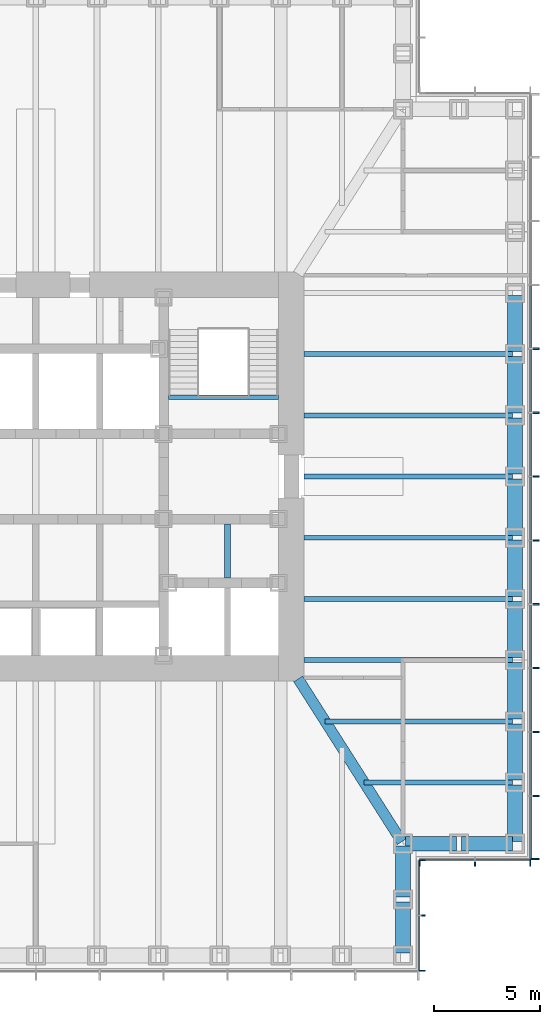
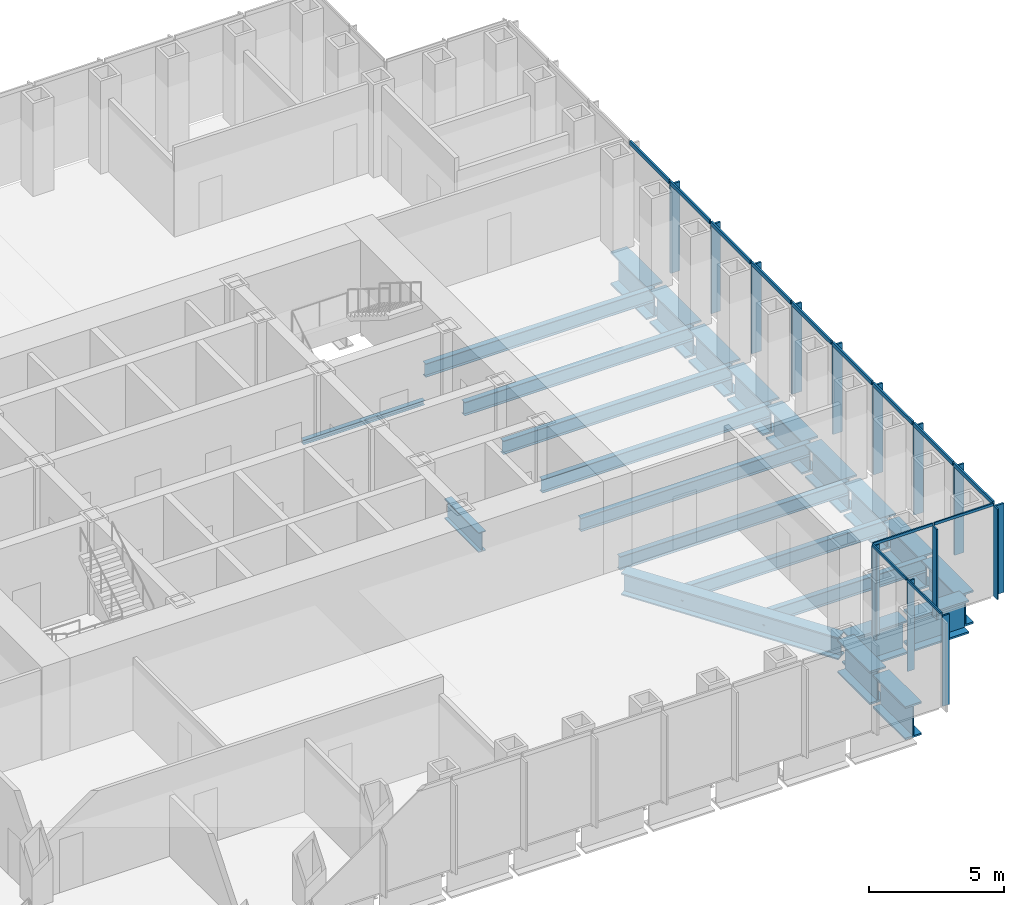
# One storey, part 4 of 16: 28 members, 24 beams, 3 elements without a shape of their own.
"""IFC4 building model written with IfcOpenShell, lengths in metres."""

from ifc_helpers import new_model, si_unit, direction, frame, origin, origin_2d, place, context, subcontext, project, spatial, rectangle, i_section, extrude, material, material_profile, profile_set, type_object, element, aggregate, save


model = new_model("IFC4")

# Units and contexts
model_context = context("Model", 3, precision=1e-05, world=origin(), true_north=direction((0.0, 1.0)))
body_context = subcontext(model_context, "Body", "Model", "MODEL_VIEW")
ifc_project = project(units=[si_unit("LENGTHUNIT", "METRE"), si_unit("AREAUNIT", "SQUARE_METRE"), si_unit("VOLUMEUNIT", "CUBIC_METRE"), si_unit("PLANEANGLEUNIT", "RADIAN"), si_unit("MASSUNIT", "GRAM", prefix="KILO")], contexts=[model_context])

# Site, building, storey
site_placement = place(None, origin())
site = spatial("IfcSite", under=ifc_project, at=site_placement, CompositionType="ELEMENT")
building_placement = place(site_placement, origin())
building = spatial("IfcBuilding", under=site, at=building_placement, Name="Daluyong Arena Tower", CompositionType="ELEMENT")
storey_placement = place(building_placement, frame((0.0, 0.0, 162.699951171875)))
storey = spatial("IfcBuildingStorey", under=building, at=storey_placement, Name="L36", CompositionType="ELEMENT", Elevation=162.699951171875)

# Curtain wall, members
ifc_material_1 = material(Name="Bronze anodised aluminium and glass", Category="aluminium")
curtain_wall_type_1 = type_object("IfcCurtainWallType", Name="Curtain wall CW2", PredefinedType="USERDEFINED", material=ifc_material_1)
curtain_wall_1_placement = place(storey_placement, origin())
curtain_wall_1 = element("IfcCurtainWall", 1, at=curtain_wall_1_placement, inside=storey, type_object=curtain_wall_type_1, Name="curtain wall L36 E", ObjectType="UNITISED CURTAIN WALL", PredefinedType="USERDEFINED")
ifc_material_2 = material(Name="Bronze anodised aluminium fin", Category="aluminium")
ifc_material_profile_1 = material_profile(ifc_material_2, rectangle(XDim=0.39990234375, YDim=0.080078125, at=origin_2d()))
ifc_profile_set_1 = profile_set([ifc_material_profile_1], Name="Bronze anodised aluminium fin")
member_type_1 = type_object("IfcMemberType", Name="CW2 bronze fin 400x80", PredefinedType="MULLION", material=ifc_profile_set_1)
member_1_placement = place(storey_placement, frame((79.449951171875, 62.0400390625, 0.0), z_axis=(0.0, 0.0, 1.0), x_axis=(-1.0, 0.0, 0.0)))
member_1 = element("IfcMember", 2, at=member_1_placement, type_object=member_type_1, Name="curtain wall L36 E fin 1", PredefinedType="MULLION", context=body_context, shape_type="SweptSolid", body=[
    extrude(rectangle(XDim=0.39990234375, YDim=0.080078125, at=origin_2d()), origin(), (0.0, 0.0, 1.0), 4.02001953125),
])
member_2_placement = place(storey_placement, frame((79.449951171875, 65.0, 0.0), z_axis=(0.0, 0.0, 1.0), x_axis=(-1.0, 0.0, 0.0)))
member_2 = element("IfcMember", 3, at=member_2_placement, type_object=member_type_1, Name="curtain wall L36 E fin 2", PredefinedType="MULLION", context=body_context, shape_type="SweptSolid", body=[
    extrude(rectangle(XDim=0.39990234375, YDim=0.080078125, at=origin_2d()), origin(), (0.0, 0.0, 1.0), 4.02001953125),
])
member_3_placement = place(storey_placement, frame((79.449951171875, 68.0, 0.0), z_axis=(0.0, 0.0, 1.0), x_axis=(-1.0, 0.0, 0.0)))
member_3 = element("IfcMember", 4, at=member_3_placement, type_object=member_type_1, Name="curtain wall L36 E fin 3", PredefinedType="MULLION", context=body_context, shape_type="SweptSolid", body=[
    extrude(rectangle(XDim=0.39990234375, YDim=0.080078125, at=origin_2d()), origin(), (0.0, 0.0, 1.0), 4.02001953125),
])
member_4_placement = place(storey_placement, frame((79.449951171875, 71.0, 0.0), z_axis=(0.0, 0.0, 1.0), x_axis=(-1.0, 0.0, 0.0)))
member_4 = element("IfcMember", 5, at=member_4_placement, type_object=member_type_1, Name="curtain wall L36 E fin 4", PredefinedType="MULLION", context=body_context, shape_type="SweptSolid", body=[
    extrude(rectangle(XDim=0.39990234375, YDim=0.080078125, at=origin_2d()), origin(), (0.0, 0.0, 1.0), 4.02001953125),
])
member_5_placement = place(storey_placement, frame((79.449951171875, 74.0, 0.0), z_axis=(0.0, 0.0, 1.0), x_axis=(-1.0, 0.0, 0.0)))
member_5 = element("IfcMember", 6, at=member_5_placement, type_object=member_type_1, Name="curtain wall L36 E fin 5", PredefinedType="MULLION", context=body_context, shape_type="SweptSolid", body=[
    extrude(rectangle(XDim=0.39990234375, YDim=0.080078125, at=origin_2d()), origin(), (0.0, 0.0, 1.0), 4.02001953125),
])
member_6_placement = place(storey_placement, frame((79.449951171875, 77.0, 0.0), z_axis=(0.0, 0.0, 1.0), x_axis=(-1.0, 0.0, 0.0)))
member_6 = element("IfcMember", 7, at=member_6_placement, type_object=member_type_1, Name="curtain wall L36 E fin 6", PredefinedType="MULLION", context=body_context, shape_type="SweptSolid", body=[
    extrude(rectangle(XDim=0.39990234375, YDim=0.080078125, at=origin_2d()), origin(), (0.0, 0.0, 1.0), 4.02001953125),
])
member_7_placement = place(storey_placement, frame((79.449951171875, 80.0, 0.0), z_axis=(0.0, 0.0, 1.0), x_axis=(-1.0, 0.0, 0.0)))
member_7 = element("IfcMember", 8, at=member_7_placement, type_object=member_type_1, Name="curtain wall L36 E fin 7", PredefinedType="MULLION", context=body_context, shape_type="SweptSolid", body=[
    extrude(rectangle(XDim=0.39990234375, YDim=0.080078125, at=origin_2d()), origin(), (0.0, 0.0, 1.0), 4.02001953125),
])
member_8_placement = place(storey_placement, frame((79.449951171875, 83.0, 0.0), z_axis=(0.0, 0.0, 1.0), x_axis=(-1.0, 0.0, 0.0)))
member_8 = element("IfcMember", 9, at=member_8_placement, type_object=member_type_1, Name="curtain wall L36 E fin 8", PredefinedType="MULLION", context=body_context, shape_type="SweptSolid", body=[
    extrude(rectangle(XDim=0.39990234375, YDim=0.080078125, at=origin_2d()), origin(), (0.0, 0.0, 1.0), 4.02001953125),
])
member_9_placement = place(storey_placement, frame((79.449951171875, 86.0, 0.0), z_axis=(0.0, 0.0, 1.0), x_axis=(-1.0, 0.0, 0.0)))
member_9 = element("IfcMember", 10, at=member_9_placement, type_object=member_type_1, Name="curtain wall L36 E fin 9", PredefinedType="MULLION", context=body_context, shape_type="SweptSolid", body=[
    extrude(rectangle(XDim=0.39990234375, YDim=0.080078125, at=origin_2d()), origin(), (0.0, 0.0, 1.0), 4.02001953125),
])
ifc_material_3 = material(Name="Bronze anodised aluminium", Category="aluminium")
ifc_material_profile_2 = material_profile(ifc_material_3, rectangle(XDim=0.080078125, YDim=0.179931640625, at=origin_2d()))
ifc_profile_set_2 = profile_set([ifc_material_profile_2], Name="Bronze anodised aluminium")
member_type_2 = type_object("IfcMemberType", Name="CW2 stack transom 180x80", PredefinedType="USERDEFINED", material=ifc_profile_set_2)
member_10_placement = place(storey_placement, frame((79.25, 62.080078125, 4.110107421875), z_axis=(0.0, 1.0, 0.0), x_axis=(-1.0, 0.0, 0.0)))
member_10 = element("IfcMember", 11, at=member_10_placement, type_object=member_type_2, Name="curtain wall L36 E transom 1", ObjectType="TRANSOM", PredefinedType="USERDEFINED", context=body_context, shape_type="SweptSolid", body=[
    extrude(rectangle(XDim=0.080078125, YDim=0.179931640625, at=origin_2d()), origin(), (0.0, 0.0, 1.0), 2.8798828125),
])
member_11_placement = place(storey_placement, frame((79.25, 65.0400390625, 4.110107421875), z_axis=(0.0, 1.0, 0.0), x_axis=(-1.0, 0.0, 0.0)))
member_11 = element("IfcMember", 12, at=member_11_placement, type_object=member_type_2, Name="curtain wall L36 E transom 2", ObjectType="TRANSOM", PredefinedType="USERDEFINED", context=body_context, shape_type="SweptSolid", body=[
    extrude(rectangle(XDim=0.080078125, YDim=0.179931640625, at=origin_2d()), origin(), (0.0, 0.0, 1.0), 2.919921875),
])
member_12_placement = place(storey_placement, frame((79.25, 68.0400390625, 4.110107421875), z_axis=(0.0, 1.0, 0.0), x_axis=(-1.0, 0.0, 0.0)))
member_12 = element("IfcMember", 13, at=member_12_placement, type_object=member_type_2, Name="curtain wall L36 E transom 3", ObjectType="TRANSOM", PredefinedType="USERDEFINED", context=body_context, shape_type="SweptSolid", body=[
    extrude(rectangle(XDim=0.080078125, YDim=0.179931640625, at=origin_2d()), origin(), (0.0, 0.0, 1.0), 2.919921875),
])
member_13_placement = place(storey_placement, frame((79.25, 71.0400390625, 4.110107421875), z_axis=(0.0, 1.0, 0.0), x_axis=(-1.0, 0.0, 0.0)))
member_13 = element("IfcMember", 14, at=member_13_placement, type_object=member_type_2, Name="curtain wall L36 E transom 4", ObjectType="TRANSOM", PredefinedType="USERDEFINED", context=body_context, shape_type="SweptSolid", body=[
    extrude(rectangle(XDim=0.080078125, YDim=0.179931640625, at=origin_2d()), origin(), (0.0, 0.0, 1.0), 2.919921875),
])
member_14_placement = place(storey_placement, frame((79.25, 74.0400390625, 4.110107421875), z_axis=(0.0, 1.0, 0.0), x_axis=(-1.0, 0.0, 0.0)))
member_14 = element("IfcMember", 15, at=member_14_placement, type_object=member_type_2, Name="curtain wall L36 E transom 5", ObjectType="TRANSOM", PredefinedType="USERDEFINED", context=body_context, shape_type="SweptSolid", body=[
    extrude(rectangle(XDim=0.080078125, YDim=0.179931640625, at=origin_2d()), origin(), (0.0, 0.0, 1.0), 2.919921875),
])
member_15_placement = place(storey_placement, frame((79.25, 77.0400390625, 4.110107421875), z_axis=(0.0, 1.0, 0.0), x_axis=(-1.0, 0.0, 0.0)))
member_15 = element("IfcMember", 16, at=member_15_placement, type_object=member_type_2, Name="curtain wall L36 E transom 6", ObjectType="TRANSOM", PredefinedType="USERDEFINED", context=body_context, shape_type="SweptSolid", body=[
    extrude(rectangle(XDim=0.080078125, YDim=0.179931640625, at=origin_2d()), origin(), (0.0, 0.0, 1.0), 2.919921875),
])
member_16_placement = place(storey_placement, frame((79.25, 80.0400390625, 4.110107421875), z_axis=(0.0, 1.0, 0.0), x_axis=(-1.0, 0.0, 0.0)))
member_16 = element("IfcMember", 17, at=member_16_placement, type_object=member_type_2, Name="curtain wall L36 E transom 7", ObjectType="TRANSOM", PredefinedType="USERDEFINED", context=body_context, shape_type="SweptSolid", body=[
    extrude(rectangle(XDim=0.080078125, YDim=0.179931640625, at=origin_2d()), origin(), (0.0, 0.0, 1.0), 2.919921875),
])
member_17_placement = place(storey_placement, frame((79.25, 83.0400390625, 4.110107421875), z_axis=(0.0, 1.0, 0.0), x_axis=(-1.0, 0.0, 0.0)))
member_17 = element("IfcMember", 18, at=member_17_placement, type_object=member_type_2, Name="curtain wall L36 E transom 8", ObjectType="TRANSOM", PredefinedType="USERDEFINED", context=body_context, shape_type="SweptSolid", body=[
    extrude(rectangle(XDim=0.080078125, YDim=0.179931640625, at=origin_2d()), origin(), (0.0, 0.0, 1.0), 2.919921875),
])
member_18_placement = place(storey_placement, frame((79.25, 86.0400390625, 4.110107421875), z_axis=(0.0, 1.0, 0.0), x_axis=(-1.0, 0.0, 0.0)))
member_18 = element("IfcMember", 19, at=member_18_placement, type_object=member_type_2, Name="curtain wall L36 E transom 9", ObjectType="TRANSOM", PredefinedType="USERDEFINED", context=body_context, shape_type="SweptSolid", body=[
    extrude(rectangle(XDim=0.080078125, YDim=0.179931640625, at=origin_2d()), origin(), (0.0, 0.0, 1.0), 2.919921875),
])
aggregate(curtain_wall_1, [member_1, member_2, member_3, member_4, member_5, member_6, member_7, member_8, member_9, member_10, member_11, member_12, member_13, member_14, member_15, member_16, member_17, member_18])

ifc_material_4 = material(Name="Bronze anodised aluminium and glass", Category="aluminium")
curtain_wall_type_2 = type_object("IfcCurtainWallType", Name="Curtain wall CW7", PredefinedType="USERDEFINED", material=ifc_material_4)
curtain_wall_2_placement = place(storey_placement, origin())
curtain_wall_2 = element("IfcCurtainWall", 20, at=curtain_wall_2_placement, inside=storey, type_object=curtain_wall_type_2, Name="curtain wall L36 SE-E", ObjectType="UNITISED CURTAIN WALL", PredefinedType="USERDEFINED")
ifc_material_5 = material(Name="Bronze anodised aluminium fin", Category="aluminium")
ifc_material_profile_3 = material_profile(ifc_material_5, rectangle(XDim=0.300048828125, YDim=0.06005859375, at=origin_2d()))
ifc_profile_set_3 = profile_set([ifc_material_profile_3], Name="Bronze anodised aluminium fin")
member_type_3 = type_object("IfcMemberType", Name="CW7 bronze fin 300x60", PredefinedType="MULLION", material=ifc_profile_set_3)
member_19_placement = place(storey_placement, frame((74.14990234375, 56.780029296875, 0.0), z_axis=(0.0, 0.0, 1.0), x_axis=(-1.0, 0.0, 0.0)))
member_19 = element("IfcMember", 21, at=member_19_placement, type_object=member_type_3, Name="curtain wall L36 SE-E fin 1", PredefinedType="MULLION", context=body_context, shape_type="SweptSolid", body=[
    extrude(rectangle(XDim=0.300048828125, YDim=0.06005859375, at=origin_2d()), origin(), (0.0, 0.0, 1.0), 4.080078125),
])
member_20_placement = place(storey_placement, frame((74.14990234375, 59.375, 0.0), z_axis=(0.0, 0.0, 1.0), x_axis=(-1.0, 0.0, 0.0)))
member_20 = element("IfcMember", 22, at=member_20_placement, type_object=member_type_3, Name="curtain wall L36 SE-E fin 2", PredefinedType="MULLION", context=body_context, shape_type="SweptSolid", body=[
    extrude(rectangle(XDim=0.300048828125, YDim=0.06005859375, at=origin_2d()), origin(), (0.0, 0.0, 1.0), 4.080078125),
])
member_21_placement = place(storey_placement, frame((74.14990234375, 61.969970703125, 0.0), z_axis=(0.0, 0.0, 1.0), x_axis=(-1.0, 0.0, 0.0)))
member_21 = element("IfcMember", 23, at=member_21_placement, type_object=member_type_3, Name="curtain wall L36 SE-E fin 3", PredefinedType="MULLION", context=body_context, shape_type="SweptSolid", body=[
    extrude(rectangle(XDim=0.300048828125, YDim=0.06005859375, at=origin_2d()), origin(), (0.0, 0.0, 1.0), 4.080078125),
])

curtain_wall_3_placement = place(storey_placement, origin())
curtain_wall_3 = element("IfcCurtainWall", 24, at=curtain_wall_3_placement, inside=storey, type_object=curtain_wall_type_2, Name="curtain wall L36 SE-S", ObjectType="UNITISED CURTAIN WALL", PredefinedType="USERDEFINED")
member_22_placement = place(storey_placement, frame((74.030029296875, 61.85009765625, 0.0), z_axis=(0.0, 0.0, 1.0), x_axis=(0.0, 1.0, 0.0)))
member_22 = element("IfcMember", 25, at=member_22_placement, type_object=member_type_3, Name="curtain wall L36 SE-S fin 1", PredefinedType="MULLION", context=body_context, shape_type="SweptSolid", body=[
    extrude(rectangle(XDim=0.300048828125, YDim=0.06005859375, at=origin_2d()), origin(), (0.0, 0.0, 1.0), 4.080078125),
])
member_23_placement = place(storey_placement, frame((76.625, 61.85009765625, 0.0), z_axis=(0.0, 0.0, 1.0), x_axis=(0.0, 1.0, 0.0)))
member_23 = element("IfcMember", 26, at=member_23_placement, type_object=member_type_3, Name="curtain wall L36 SE-S fin 2", PredefinedType="MULLION", context=body_context, shape_type="SweptSolid", body=[
    extrude(rectangle(XDim=0.300048828125, YDim=0.06005859375, at=origin_2d()), origin(), (0.0, 0.0, 1.0), 4.080078125),
])
member_24_placement = place(storey_placement, frame((79.219970703125, 61.85009765625, 0.0), z_axis=(0.0, 0.0, 1.0), x_axis=(0.0, 1.0, 0.0)))
member_24 = element("IfcMember", 27, at=member_24_placement, type_object=member_type_3, Name="curtain wall L36 SE-S fin 3", PredefinedType="MULLION", context=body_context, shape_type="SweptSolid", body=[
    extrude(rectangle(XDim=0.300048828125, YDim=0.06005859375, at=origin_2d()), origin(), (0.0, 0.0, 1.0), 4.080078125),
])

# Member
ifc_material_6 = material(Name="Bronze anodised aluminium", Category="aluminium")
ifc_material_profile_4 = material_profile(ifc_material_6, rectangle(XDim=0.06005859375, YDim=0.1201171875, at=origin_2d()))
ifc_profile_set_4 = profile_set([ifc_material_profile_4], Name="Bronze anodised aluminium")
member_type_4 = type_object("IfcMemberType", Name="CW7 stack transom 120x60", PredefinedType="USERDEFINED", material=ifc_profile_set_4)
member_25_placement = place(storey_placement, frame((74.0, 56.81005859375, 4.14013671875), z_axis=(0.0, 1.0, 0.0), x_axis=(-1.0, 0.0, 0.0)))
member_25 = element("IfcMember", 28, at=member_25_placement, type_object=member_type_4, Name="curtain wall L36 SE-E transom 1", ObjectType="TRANSOM", PredefinedType="USERDEFINED", context=body_context, shape_type="SweptSolid", body=[
    extrude(rectangle(XDim=0.06005859375, YDim=0.1201171875, at=origin_2d()), origin(), (0.0, 0.0, 1.0), 2.534912109375),
])

member_26_placement = place(storey_placement, frame((74.0, 59.405029296875, 4.14013671875), z_axis=(0.0, 1.0, 0.0), x_axis=(-1.0, 0.0, 0.0)))
member_26 = element("IfcMember", 29, at=member_26_placement, type_object=member_type_4, Name="curtain wall L36 SE-E transom 2", ObjectType="TRANSOM", PredefinedType="USERDEFINED", context=body_context, shape_type="SweptSolid", body=[
    extrude(rectangle(XDim=0.06005859375, YDim=0.1201171875, at=origin_2d()), origin(), (0.0, 0.0, 1.0), 2.534912109375),
])

aggregate(curtain_wall_2, [member_19, member_20, member_21, member_25, member_26])

member_27_placement = place(storey_placement, frame((74.06005859375, 62.0, 4.14013671875), z_axis=(1.0, 0.0, 0.0), x_axis=(0.0, 1.0, 0.0)))
member_27 = element("IfcMember", 30, at=member_27_placement, type_object=member_type_4, Name="curtain wall L36 SE-S transom 1", ObjectType="TRANSOM", PredefinedType="USERDEFINED", context=body_context, shape_type="SweptSolid", body=[
    extrude(rectangle(XDim=0.06005859375, YDim=0.1201171875, at=origin_2d()), origin(), (0.0, 0.0, 1.0), 2.534912109375),
])

member_28_placement = place(storey_placement, frame((76.655029296875, 62.0, 4.14013671875), z_axis=(1.0, 0.0, 0.0), x_axis=(0.0, 1.0, 0.0)))
member_28 = element("IfcMember", 31, at=member_28_placement, type_object=member_type_4, Name="curtain wall L36 SE-S transom 2", ObjectType="TRANSOM", PredefinedType="USERDEFINED", context=body_context, shape_type="SweptSolid", body=[
    extrude(rectangle(XDim=0.06005859375, YDim=0.1201171875, at=origin_2d()), origin(), (0.0, 0.0, 1.0), 2.534912109375),
])

aggregate(curtain_wall_3, [member_22, member_23, member_24, member_27, member_28])

# Beams
ifc_material_7 = material(Name="Steel ASTM A572 Grade 50", Category="steel")
ifc_material_profile_5 = material_profile(ifc_material_7, i_section(OverallWidth=0.5, OverallDepth=1.0, WebThickness=0.03, FlangeThickness=0.06, at=origin_2d()))
ifc_profile_set_5 = profile_set([ifc_material_profile_5], Name="Steel ASTM A572 Grade 50")
beam_type_1 = type_object("IfcBeamType", Name="Corner girder TB1000X500", PredefinedType="BEAM", material=ifc_profile_set_5)
beam_1_placement = place(storey_placement, frame((73.188232421875, 62.846923828125, -0.659912109375), z_axis=(-0.536872006459, 0.843663705916, 0.0), x_axis=(-0.843663705916, -0.536872006459, 0.0)))
element("IfcBeam", 32, at=beam_1_placement, inside=storey, type_object=beam_type_1, Name="corner girder DG2", PredefinedType="BEAM", context=body_context, shape_type="SweptSolid", body=[
    extrude(i_section(OverallWidth=0.5, OverallDepth=1.0, WebThickness=0.03, FlangeThickness=0.06, at=origin_2d()), origin(), (0.0, 0.0, 1.0), 9.06396484375),
])
ifc_material_8 = material(Name="Steel ASTM A992 Grade 50", Category="steel")
ifc_material_profile_6 = material_profile(ifc_material_8, i_section(OverallWidth=0.22900390625, OverallDepth=0.612060546875, WebThickness=0.011962890625, FlangeThickness=0.01953125, at=origin_2d()))
ifc_profile_set_6 = profile_set([ifc_material_profile_6], Name="Steel ASTM A992 Grade 50")
beam_type_2 = type_object("IfcBeamType", Name="Floor beam W24X84", PredefinedType="BEAM", material=ifc_profile_set_6)
beam_2_placement = place(storey_placement, frame((78.385009765625, 65.625, -0.466064453125), z_axis=(-1.0, 0.0, 0.0), x_axis=(0.0, -1.0, 0.0)))
element("IfcBeam", 33, at=beam_2_placement, inside=storey, type_object=beam_type_2, Name="floor beam FB3", PredefinedType="BEAM", context=body_context, shape_type="SweptSolid", body=[
    extrude(i_section(OverallWidth=0.22900390625, OverallDepth=0.612060546875, WebThickness=0.011962890625, FlangeThickness=0.01953125, at=origin_2d()), origin(), (0.0, 0.0, 1.0), 6.964599609375),
])
beam_3_placement = place(storey_placement, frame((78.385009765625, 68.5, -0.466064453125), z_axis=(-1.0, 0.0, 0.0), x_axis=(0.0, -1.0, 0.0)))
element("IfcBeam", 34, at=beam_3_placement, inside=storey, type_object=beam_type_2, Name="floor beam FB3", PredefinedType="BEAM", context=body_context, shape_type="SweptSolid", body=[
    extrude(i_section(OverallWidth=0.22900390625, OverallDepth=0.612060546875, WebThickness=0.011962890625, FlangeThickness=0.01953125, at=origin_2d()), origin(), (0.0, 0.0, 1.0), 8.794189453125),
])
for number, where, z_axis, x_axis, name in (
    (35, (78.385009765625, 71.375, -0.466064453125), (-1.0, 0.0, 0.0), (0.0, -1.0, 0.0), "floor beam FB3"),
    (36, (78.385009765625, 74.25, -0.466064453125), (-1.0, 0.0, 0.0), (0.0, -1.0, 0.0), "floor beam FB3"),
    (37, (78.385009765625, 77.125, -0.466064453125), (-1.0, 0.0, 0.0), (0.0, -1.0, 0.0), "floor beam FB3"),
    (38, (78.385009765625, 80.0, -0.466064453125), (-1.0, 0.0, 0.0), (0.0, -1.0, 0.0), "floor beam FB3"),
    (39, (78.385009765625, 82.875, -0.466064453125), (-1.0, 0.0, 0.0), (0.0, -1.0, 0.0), "floor beam FB3"),
    (40, (78.385009765625, 85.75, -0.466064453125), (-1.0, 0.0, 0.0), (0.0, -1.0, 0.0), "floor beam FB3"),
):
    element("IfcBeam", number, at=place(storey_placement, frame(where, z_axis=z_axis, x_axis=x_axis)), inside=storey, type_object=beam_type_2, Name=name, PredefinedType="BEAM", context=body_context, shape_type="SweptSolid", body=[
        extrude(i_section(OverallWidth=0.22900390625, OverallDepth=0.612060546875, WebThickness=0.011962890625, FlangeThickness=0.01953125, at=origin_2d()), origin(), (0.0, 0.0, 1.0), 9.784912109375),
    ])
ifc_material_9 = material(Name="Steel ASTM A572 Grade 50", Category="steel")
ifc_material_profile_7 = material_profile(ifc_material_9, i_section(OverallWidth=0.300048828125, OverallDepth=0.89990234375, WebThickness=0.025, FlangeThickness=0.04, at=origin_2d()))
ifc_profile_set_7 = profile_set([ifc_material_profile_7], Name="Steel ASTM A572 Grade 50")
beam_type_3 = type_object("IfcBeamType", Name="Lift divider beam PG900X300", PredefinedType="BEAM", material=ifc_profile_set_7)
beam_4_placement = place(storey_placement, frame((65.0, 75.22509765625, -0.60986328125), z_axis=(0.0, 1.0, 0.0), x_axis=(-1.0, 0.0, 0.0)))
element("IfcBeam", 41, at=beam_4_placement, inside=storey, type_object=beam_type_3, Name="lift divider beam DB1", PredefinedType="BEAM", context=body_context, shape_type="SweptSolid", body=[
    extrude(i_section(OverallWidth=0.300048828125, OverallDepth=0.89990234375, WebThickness=0.025, FlangeThickness=0.04, at=origin_2d()), origin(), (0.0, 0.0, 1.0), 2.5498046875),
])
ifc_material_10 = material(Name="Steel ASTM A572 Grade 50", Category="steel")
ifc_material_profile_8 = material_profile(ifc_material_10, i_section(OverallWidth=0.699951171875, OverallDepth=1.5, WebThickness=0.04, FlangeThickness=0.08, at=origin_2d()))
ifc_profile_set_8 = profile_set([ifc_material_profile_8], Name="Steel ASTM A572 Grade 50")
beam_type_4 = type_object("IfcBeamType", Name="Spandrel Z2 PG1500X700", PredefinedType="SPANDREL", material=ifc_profile_set_8)
for number, where, z_axis, x_axis, name in (
    (42, (73.25, 57.614990234375, -0.909912109375), (0.0, 1.0, 0.0), (-1.0, 0.0, 0.0), "spandrel z2 SB6"),
    (43, (73.25, 60.239990234375, -0.909912109375), (0.0, 1.0, 0.0), (-1.0, 0.0, 0.0), "spandrel z2 SB6"),
    (44, (73.364990234375, 62.75, -0.909912109375), (1.0, 0.0, 0.0), (0.0, 1.0, 0.0), "spandrel z2 SB6"),
    (45, (75.989990234375, 62.75, -0.909912109375), (1.0, 0.0, 0.0), (0.0, 1.0, 0.0), "spandrel z2 SB6"),
):
    element("IfcBeam", number, at=place(storey_placement, frame(where, z_axis=z_axis, x_axis=x_axis)), inside=storey, type_object=beam_type_4, Name=name, PredefinedType="SPANDREL", context=body_context, shape_type="SweptSolid", body=[
        extrude(i_section(OverallWidth=0.699951171875, OverallDepth=1.5, WebThickness=0.04, FlangeThickness=0.08, at=origin_2d()), origin(), (0.0, 0.0, 1.0), 2.39501953125),
    ])
for number, where, z_axis, x_axis, name in (
    (46, (78.5, 62.864990234375, -0.909912109375), (0.0, 1.0, 0.0), (-1.0, 0.0, 0.0), "spandrel z2 SB6"),
    (47, (78.5, 65.739990234375, -0.909912109375), (0.0, 1.0, 0.0), (-1.0, 0.0, 0.0), "spandrel z2 SB6"),
    (48, (78.5, 68.614990234375, -0.909912109375), (0.0, 1.0, 0.0), (-1.0, 0.0, 0.0), "spandrel z2 SB6"),
    (49, (78.5, 71.489990234375, -0.909912109375), (0.0, 1.0, 0.0), (-1.0, 0.0, 0.0), "spandrel z2 SB6"),
    (50, (78.5, 74.364990234375, -0.909912109375), (0.0, 1.0, 0.0), (-1.0, 0.0, 0.0), "spandrel z2 SB6"),
    (51, (78.5, 77.239990234375, -0.909912109375), (0.0, 1.0, 0.0), (-1.0, 0.0, 0.0), "spandrel z2 SB6"),
    (52, (78.5, 80.114990234375, -0.909912109375), (0.0, 1.0, 0.0), (-1.0, 0.0, 0.0), "spandrel z2 SB6"),
    (53, (78.5, 82.989990234375, -0.909912109375), (0.0, 1.0, 0.0), (-1.0, 0.0, 0.0), "spandrel z2 SB6"),
    (54, (78.5, 85.864990234375, -0.909912109375), (0.0, 1.0, 0.0), (-1.0, 0.0, 0.0), "spandrel z2 SB6"),
):
    element("IfcBeam", number, at=place(storey_placement, frame(where, z_axis=z_axis, x_axis=x_axis)), inside=storey, type_object=beam_type_4, Name=name, PredefinedType="SPANDREL", context=body_context, shape_type="SweptSolid", body=[
        extrude(i_section(OverallWidth=0.699951171875, OverallDepth=1.5, WebThickness=0.04, FlangeThickness=0.08, at=origin_2d()), origin(), (0.0, 0.0, 1.0), 2.64501953125),
    ])
ifc_material_11 = material(Name="Steel ASTM A992 Grade 50", Category="steel")
ifc_material_profile_9 = material_profile(ifc_material_11, i_section(OverallWidth=0.203125, OverallDepth=0.203125, WebThickness=0.00732421875, FlangeThickness=0.010986328125, at=origin_2d()))
ifc_profile_set_9 = profile_set([ifc_material_profile_9], Name="Steel ASTM A992 Grade 50")
beam_type_5 = type_object("IfcBeamType", Name="Stair landing beam W8X31", PredefinedType="BEAM", material=ifc_profile_set_9)
beam_5_placement = place(storey_placement, frame((62.22509765625, 83.723388671875, -0.261474609375), z_axis=(1.0, 0.0, 0.0), x_axis=(0.0, 1.0, 0.0)))
element("IfcBeam", 55, at=beam_5_placement, inside=storey, type_object=beam_type_5, Name="exit stair B landing beam", PredefinedType="BEAM", context=body_context, shape_type="SweptSolid", body=[
    extrude(i_section(OverallWidth=0.203125, OverallDepth=0.203125, WebThickness=0.00732421875, FlangeThickness=0.010986328125, at=origin_2d()), origin(), (0.0, 0.0, 1.0), 5.1748046875),
])

save(model, "model.ifc")
